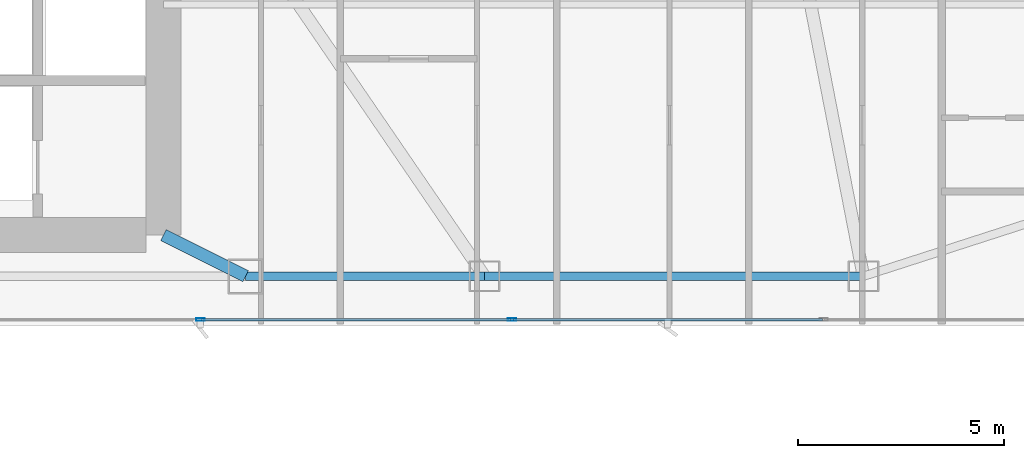
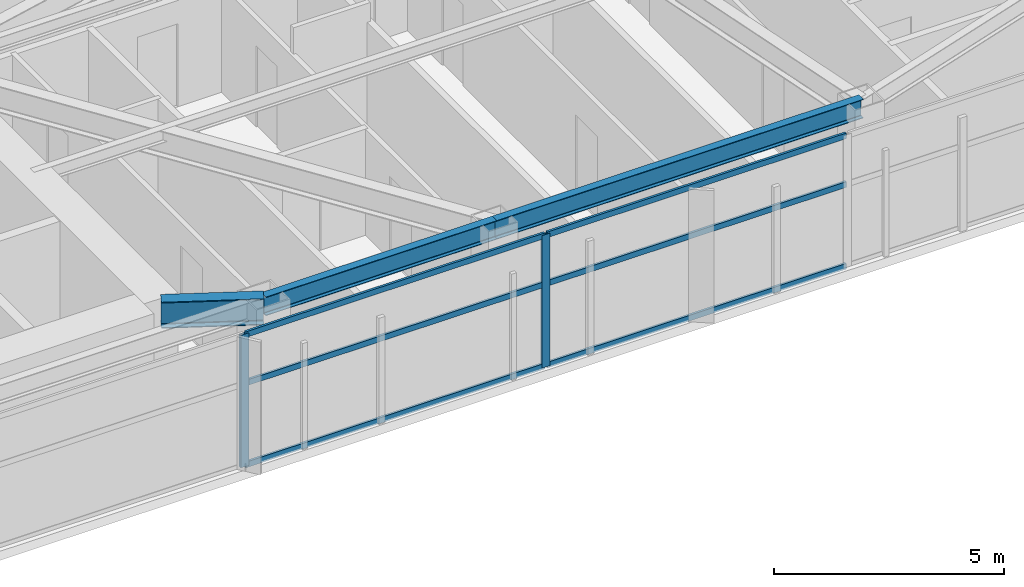
# One storey, part 12 of 28: 8 members, 3 beams, 1 element without a shape of its own.
"""IFC4 building model written with IfcOpenShell, lengths in metres."""

from ifc_helpers import new_model, si_unit, direction, frame, origin, origin_2d, place, context, subcontext, project, spatial, hollow_rectangle, i_section, extrude, material, layer, layer_set, material_profile, profile_set, type_object, element, aggregate, save


model = new_model("IFC4")

# Units and contexts
model_context = context("Model", 3, precision=1e-05, world=origin(), true_north=direction((0.0, 1.0)))
body_context = subcontext(model_context, "Body", "Model", "MODEL_VIEW")
ifc_project = project(units=[si_unit("LENGTHUNIT", "METRE"), si_unit("AREAUNIT", "SQUARE_METRE"), si_unit("VOLUMEUNIT", "CUBIC_METRE"), si_unit("PLANEANGLEUNIT", "RADIAN"), si_unit("MASSUNIT", "GRAM", prefix="KILO")], contexts=[model_context])

# Site, building, storey
site_placement = place(None, origin())
site = spatial("IfcSite", under=ifc_project, at=site_placement, CompositionType="ELEMENT")
building_placement = place(site_placement, origin())
building = spatial("IfcBuilding", under=site, at=building_placement, Name="Calvorn Quay Hotel", CompositionType="ELEMENT")
storey_placement = place(building_placement, frame((0.0, 0.0, 135.39990234375)))
storey = spatial("IfcBuildingStorey", under=building, at=storey_placement, Name="L33", CompositionType="ELEMENT", Elevation=135.39990234375)

# Beams
ifc_material_1 = material(Name="Steel Q390GJC", Category="steel")
ifc_material_profile_1 = material_profile(ifc_material_1, i_section(OverallWidth=0.300048828125, OverallDepth=0.699951171875, WebThickness=0.012939453125, FlangeThickness=0.02392578125, FilletRadius=0.02392578125, at=origin_2d()), Name="HN700x300x13x24")
ifc_profile_set_1 = profile_set([ifc_material_profile_1], Name="Steel Q390GJC")
beam_type_1 = type_object("IfcBeamType", Name="BM-GIRD-MAIN", PredefinedType="BEAM", material=ifc_profile_set_1)
beam_1_placement = place(storey_placement, frame((34.39990234375, 3.60009765625, 3.170166015625), z_axis=(-0.894427191, 0.4472135955, 0.0), x_axis=(-0.4472135955, -0.894427191, 0.0)))
element("IfcBeam", 1, at=beam_1_placement, inside=storey, type_object=beam_type_1, Name="Beam BG-L33-S3", PredefinedType="BEAM", context=body_context, shape_type="SweptSolid", body=[
    extrude(i_section(OverallWidth=0.300048828125, OverallDepth=0.699951171875, WebThickness=0.012939453125, FlangeThickness=0.02392578125, FilletRadius=0.02392578125, at=origin_2d()), origin(), (0.0, 0.0, 1.0), 2.236083984375),
])
ifc_material_2 = material(Name="Steel Q355B", Category="steel")
ifc_material_profile_2 = material_profile(ifc_material_2, i_section(OverallWidth=0.199951171875, OverallDepth=0.5, WebThickness=0.010009765625, FlangeThickness=0.01611328125, FilletRadius=0.01611328125, at=origin_2d()), Name="HN500x200x10x16")
ifc_profile_set_2 = profile_set([ifc_material_profile_2], Name="Steel Q355B")
beam_type_2 = type_object("IfcBeamType", Name="BM-SPANDREL-Z1", PredefinedType="SPANDREL", material=ifc_profile_set_2)
beam_2_placement = place(storey_placement, frame((34.39990234375, 3.60009765625, 3.27001953125), z_axis=(1.0, 0.0, 0.0), x_axis=(0.0, 1.0, 0.0)))
element("IfcBeam", 2, at=beam_2_placement, inside=storey, type_object=beam_type_2, Name="Beam BSP-L33-S4", PredefinedType="SPANDREL", context=body_context, shape_type="SweptSolid", body=[
    extrude(i_section(OverallWidth=0.199951171875, OverallDepth=0.5, WebThickness=0.010009765625, FlangeThickness=0.01611328125, FilletRadius=0.01611328125, at=origin_2d()), origin(), (0.0, 0.0, 1.0), 5.800048828125),
])
beam_3_placement = place(storey_placement, frame((40.199951171875, 3.60009765625, 3.27001953125), z_axis=(1.0, 0.0, 0.0), x_axis=(0.0, 1.0, 0.0)))
element("IfcBeam", 3, at=beam_3_placement, inside=storey, type_object=beam_type_2, Name="Beam BSP-L33-S5", PredefinedType="SPANDREL", context=body_context, shape_type="SweptSolid", body=[
    extrude(i_section(OverallWidth=0.199951171875, OverallDepth=0.5, WebThickness=0.010009765625, FlangeThickness=0.01611328125, FilletRadius=0.01611328125, at=origin_2d()), origin(), (0.0, 0.0, 1.0), 9.199951171875),
])

# Curtain wall, members
ifc_material_3 = material(Name="Pale Anodised Aluminium and Low-E Glass", Category="aluminium")
ifc_layer = layer(ifc_material_3, 0.219970703125)
ifc_layer_set = layer_set([ifc_layer], Name="CW-SYS-Z2")
curtain_wall_type = type_object("IfcCurtainWallType", Name="CW-SYS-Z2", PredefinedType="NOTDEFINED", material=ifc_layer_set)
curtain_wall_placement = place(storey_placement, origin())
curtain_wall = element("IfcCurtainWall", 4, at=curtain_wall_placement, inside=storey, type_object=curtain_wall_type, Name="Tower South Waterfront Curtain Wall (L33)", PredefinedType="NOTDEFINED")
ifc_material_4 = material(Name="Pale Anodised Aluminium 6063-T6", Category="aluminium")
ifc_material_profile_3 = material_profile(ifc_material_4, hollow_rectangle(XDim=0.070068359375, YDim=0.199951171875, WallThickness=0.00390625, at=origin_2d()), Name="ALU-M200x70x4")
ifc_profile_set_3 = profile_set([ifc_material_profile_3], Name="Pale Anodised Aluminium 6063-T6")
member_type_1 = type_object("IfcMemberType", Name="CW-SYS-Z2-MUL", PredefinedType="MULLION", material=ifc_profile_set_3)
member_1_placement = place(storey_placement, frame((33.300048828125, 2.550048828125, 0.0), z_axis=(0.0, 0.0, 1.0), x_axis=(0.0, 1.0, 0.0)))
member_1 = element("IfcMember", 5, at=member_1_placement, type_object=member_type_1, Name="CW-L33-S mullion 4", PredefinedType="MULLION", context=body_context, shape_type="SweptSolid", body=[
    extrude(hollow_rectangle(XDim=0.070068359375, YDim=0.199951171875, WallThickness=0.00390625, at=origin_2d()), origin(), (0.0, 0.0, 1.0), 3.52001953125),
])
member_2_placement = place(storey_placement, frame((40.86669921875, 2.550048828125, 0.0), z_axis=(0.0, 0.0, 1.0), x_axis=(0.0, 1.0, 0.0)))
member_2 = element("IfcMember", 6, at=member_2_placement, type_object=member_type_1, Name="CW-L33-S mullion 5", PredefinedType="MULLION", context=body_context, shape_type="SweptSolid", body=[
    extrude(hollow_rectangle(XDim=0.070068359375, YDim=0.199951171875, WallThickness=0.00390625, at=origin_2d()), origin(), (0.0, 0.0, 1.0), 3.52001953125),
])
ifc_material_5 = material(Name="Pale Anodised Aluminium 6063-T6", Category="aluminium")
ifc_material_profile_4 = material_profile(ifc_material_5, hollow_rectangle(XDim=0.06005859375, YDim=0.14990234375, WallThickness=0.00341796875, at=origin_2d()), Name="ALU-T150x60x3.5")
ifc_profile_set_4 = profile_set([ifc_material_profile_4], Name="Pale Anodised Aluminium 6063-T6")
member_type_2 = type_object("IfcMemberType", Name="CW-SYS-Z2-TRN", PredefinedType="USERDEFINED", material=ifc_profile_set_4)
member_3_placement = place(storey_placement, frame((33.330078125, 2.550048828125, 0.030029296875), z_axis=(1.0, 0.0, 0.0), x_axis=(0.0, 1.0, 0.0)))
member_3 = element("IfcMember", 7, at=member_3_placement, type_object=member_type_2, Name="CW-L33-S transom 4.1", ObjectType="TRANSOM", PredefinedType="USERDEFINED", context=body_context, shape_type="SweptSolid", body=[
    extrude(hollow_rectangle(XDim=0.06005859375, YDim=0.14990234375, WallThickness=0.00341796875, at=origin_2d()), origin(), (0.0, 0.0, 1.0), 7.506591796875),
])
member_4_placement = place(storey_placement, frame((33.330078125, 2.550048828125, 2.2001953125), z_axis=(1.0, 0.0, 0.0), x_axis=(0.0, 1.0, 0.0)))
member_4 = element("IfcMember", 8, at=member_4_placement, type_object=member_type_2, Name="CW-L33-S transom 4.2", ObjectType="TRANSOM", PredefinedType="USERDEFINED", context=body_context, shape_type="SweptSolid", body=[
    extrude(hollow_rectangle(XDim=0.06005859375, YDim=0.14990234375, WallThickness=0.00341796875, at=origin_2d()), origin(), (0.0, 0.0, 1.0), 7.506591796875),
])
member_5_placement = place(storey_placement, frame((33.330078125, 2.550048828125, 3.489990234375), z_axis=(1.0, 0.0, 0.0), x_axis=(0.0, 1.0, 0.0)))
member_5 = element("IfcMember", 9, at=member_5_placement, type_object=member_type_2, Name="CW-L33-S transom 4.3", ObjectType="TRANSOM", PredefinedType="USERDEFINED", context=body_context, shape_type="SweptSolid", body=[
    extrude(hollow_rectangle(XDim=0.06005859375, YDim=0.14990234375, WallThickness=0.00341796875, at=origin_2d()), origin(), (0.0, 0.0, 1.0), 7.506591796875),
])
member_6_placement = place(storey_placement, frame((40.896728515625, 2.550048828125, 0.030029296875), z_axis=(1.0, 0.0, 0.0), x_axis=(0.0, 1.0, 0.0)))
member_6 = element("IfcMember", 10, at=member_6_placement, type_object=member_type_2, Name="CW-L33-S transom 5.1", ObjectType="TRANSOM", PredefinedType="USERDEFINED", context=body_context, shape_type="SweptSolid", body=[
    extrude(hollow_rectangle(XDim=0.06005859375, YDim=0.14990234375, WallThickness=0.00341796875, at=origin_2d()), origin(), (0.0, 0.0, 1.0), 7.506591796875),
])
member_7_placement = place(storey_placement, frame((40.896728515625, 2.550048828125, 2.2001953125), z_axis=(1.0, 0.0, 0.0), x_axis=(0.0, 1.0, 0.0)))
member_7 = element("IfcMember", 11, at=member_7_placement, type_object=member_type_2, Name="CW-L33-S transom 5.2", ObjectType="TRANSOM", PredefinedType="USERDEFINED", context=body_context, shape_type="SweptSolid", body=[
    extrude(hollow_rectangle(XDim=0.06005859375, YDim=0.14990234375, WallThickness=0.00341796875, at=origin_2d()), origin(), (0.0, 0.0, 1.0), 7.506591796875),
])
member_8_placement = place(storey_placement, frame((40.896728515625, 2.550048828125, 3.489990234375), z_axis=(1.0, 0.0, 0.0), x_axis=(0.0, 1.0, 0.0)))
member_8 = element("IfcMember", 12, at=member_8_placement, type_object=member_type_2, Name="CW-L33-S transom 5.3", ObjectType="TRANSOM", PredefinedType="USERDEFINED", context=body_context, shape_type="SweptSolid", body=[
    extrude(hollow_rectangle(XDim=0.06005859375, YDim=0.14990234375, WallThickness=0.00341796875, at=origin_2d()), origin(), (0.0, 0.0, 1.0), 7.506591796875),
])
aggregate(curtain_wall, [member_1, member_2, member_3, member_4, member_5, member_6, member_7, member_8])

save(model, "model.ifc")
